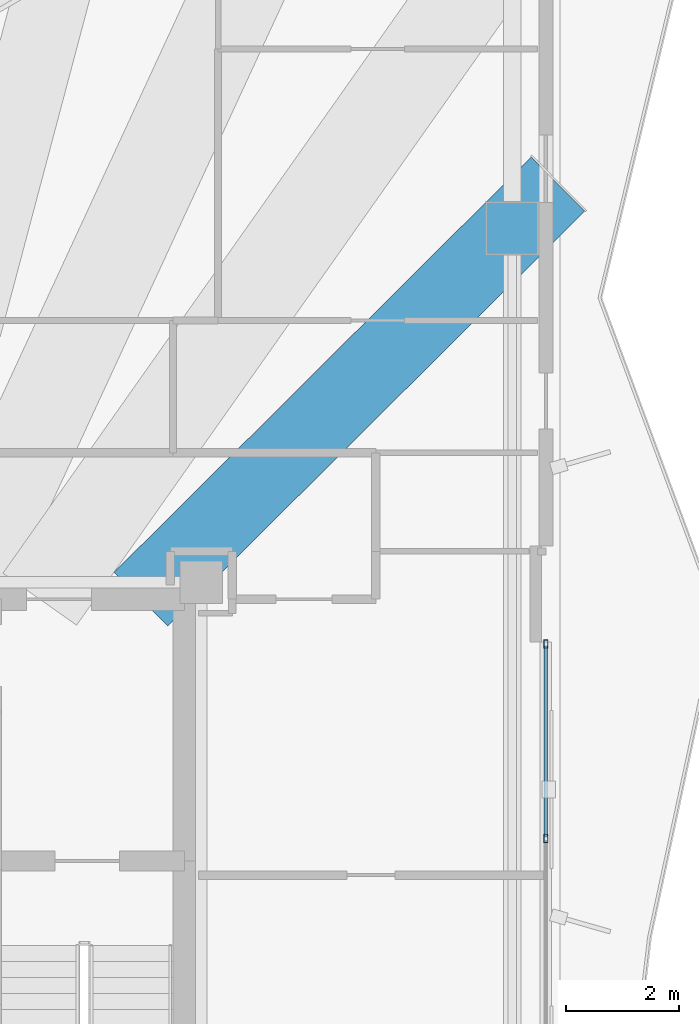
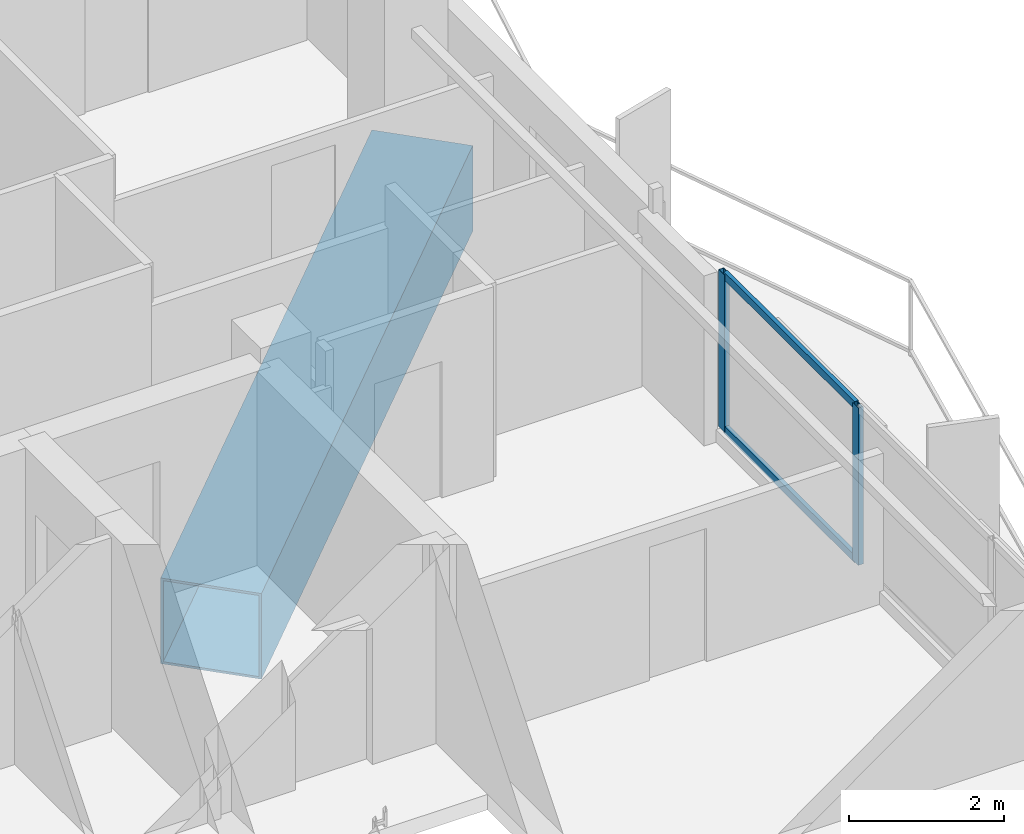
# One storey, part 10 of 21: 4 members, 1 beam, 1 element without a shape of its own.
"""IFC4 building model written with IfcOpenShell, lengths in metres."""

import ifcopenshell
import ifcopenshell.guid

model = None  # the IFC model being written
_history = None  # IfcOwnerHistory: only IFC2X3 demands one
_inside = {}  # id of a spatial element -> (the spatial element, [elements in it])
_under = {}  # id of a project, library or spatial element -> (it, [spatial elements below it])
_declared = {}  # id of a project -> (the project, [libraries it declares])
_typed = {}  # id of a type object -> (the type object, [elements of that type])
_made_of = {}  # id of a material, layer set ... -> (it, [elements and type objects made of it])


def new_model(schema):
    """Start an empty IFC model of exactly this schema.

    Asked for "IFC4X3", IfcOpenShell would pick the latest addendum, in which some entities
    have other attributes; the version numbers below select the first issue.
    IFC2X3 requires an IfcOwnerHistory on every rooted entity: one is made here for all.
    """
    global model, _history
    if schema == "IFC4X3":
        model = ifcopenshell.file(schema_version=(4, 3, 0, 0))
    else:
        model = ifcopenshell.file(schema=schema)
    _inside.clear()
    _under.clear()
    _declared.clear()
    _typed.clear()
    _made_of.clear()
    _history = None
    if model.schema == "IFC2X3":
        org = make("IfcOrganization", Name="unknown")
        user = make(
            "IfcPersonAndOrganization",
            ThePerson=make("IfcPerson", FamilyName="unknown"),
            TheOrganization=org,
        )
        app = make(
            "IfcApplication",
            ApplicationDeveloper=org,
            Version="unknown",
            ApplicationFullName="unknown",
            ApplicationIdentifier="unknown",
        )
        _history = make(
            "IfcOwnerHistory",
            OwningUser=user,
            OwningApplication=app,
            ChangeAction="ADDED",
            CreationDate=0,
        )
    return model


def make(cls, **values):
    """One entity of the class cls with the attributes given. An attribute that is None is left unset."""
    return model.create_entity(
        cls, **{name: value for name, value in values.items() if value is not None}
    )


def rooted(cls, **values):
    """An entity with a GlobalId (a new one), such as an element, a storey or a relation."""
    return make(cls, GlobalId=ifcopenshell.guid.new(), OwnerHistory=_history, **values)


def si_unit(unit_type, name, prefix=None):
    """IfcSIUnit, for example si_unit("LENGTHUNIT", "METRE", prefix="MILLI")."""
    return make("IfcSIUnit", UnitType=unit_type, Prefix=prefix, Name=name)


def assignment(units):
    """IfcUnitAssignment: the units of a project."""
    return None if units is None else make("IfcUnitAssignment", Units=units)


def point(xyz):
    """IfcCartesianPoint."""
    return None if xyz is None else make("IfcCartesianPoint", Coordinates=xyz)


def direction(xyz):
    """IfcDirection."""
    return None if xyz is None else make("IfcDirection", DirectionRatios=xyz)


def frame(location, z_axis=None, x_axis=None):
    """IfcAxis2Placement3D, a coordinate frame: its origin and axes. An axis left out is left unset."""
    return make(
        "IfcAxis2Placement3D",
        Location=point(location),
        Axis=direction(z_axis),
        RefDirection=direction(x_axis),
    )


def frame_2d(location, x_axis=None):
    """IfcAxis2Placement2D, a coordinate frame in the plane: its origin and x axis."""
    return make(
        "IfcAxis2Placement2D", Location=point(location), RefDirection=direction(x_axis)
    )


def origin():
    """The frame at (0, 0, 0) with its axes left unset."""
    return frame((0.0, 0.0, 0.0))


def origin_2d():
    """The frame at (0, 0) in the plane with its x axis left unset."""
    return frame_2d((0.0, 0.0))


def place(relative_to, where):
    """IfcLocalPlacement: puts the frame where relative to a parent placement (None: the world)."""
    return make(
        "IfcLocalPlacement", PlacementRelTo=relative_to, RelativePlacement=where
    )


def context(
    kind, dimensions, precision=None, world=None, true_north=None, identifier=None
):
    """IfcGeometricRepresentationContext, for example the 3D "Model" context."""
    return make(
        "IfcGeometricRepresentationContext",
        ContextIdentifier=identifier,
        ContextType=kind,
        CoordinateSpaceDimension=dimensions,
        Precision=precision,
        WorldCoordinateSystem=world,
        TrueNorth=true_north,
    )


def subcontext(parent, identifier, kind, view, scale=None):
    """IfcGeometricRepresentationSubContext, for example "Body" below "Model"."""
    return make(
        "IfcGeometricRepresentationSubContext",
        ContextIdentifier=identifier,
        ContextType=kind,
        ParentContext=parent,
        TargetScale=scale,
        TargetView=view,
    )


def project(units=None, contexts=None):
    """IfcProject with its units and contexts."""
    return rooted(
        "IfcProject",
        Name="project",
        RepresentationContexts=contexts,
        UnitsInContext=assignment(units),
    )


def spatial(cls, under=None, at=None, **own):
    """A site, building, storey or space (cls), placed at a placement, below another one or the project."""
    s = rooted(cls, ObjectPlacement=at, **own)
    if under is not None:
        _under.setdefault(under.id(), (under, []))[1].append(s)
    return s


def profile(cls, at=None, kind="AREA", **sizes):
    """A parametric profile (cls). Its sizes go by their IFC names, for example OverallWidth=200.0."""
    return make(cls, ProfileType=kind, Position=at, **sizes)


def hollow_rectangle(**sizes):
    """IfcRectangleHollowProfileDef."""
    return profile("IfcRectangleHollowProfileDef", **sizes)


def extrude(swept, where, along, depth):
    """IfcExtrudedAreaSolid: the profile swept, set in the frame where, extruded along a direction by depth."""
    return make(
        "IfcExtrudedAreaSolid",
        SweptArea=swept,
        Position=where,
        ExtrudedDirection=direction(along),
        Depth=depth,
    )


def shape(context_of_items, identifier, shape_type, items):
    """IfcShapeRepresentation: the items that make up one representation, for example the "Body"."""
    return make(
        "IfcShapeRepresentation",
        ContextOfItems=context_of_items,
        RepresentationIdentifier=identifier,
        RepresentationType=shape_type,
        Items=items,
    )


def material(Name=None, Category=None):
    """IfcMaterial."""
    return make("IfcMaterial", Name=Name, Category=Category)


def layer(
    of_material, thickness, ventilated=None, Name=None, Category=None, Priority=None
):
    """IfcMaterialLayer: one layer of a wall or slab, of a material (None: an air gap)."""
    return make(
        "IfcMaterialLayer",
        Material=of_material,
        LayerThickness=thickness,
        IsVentilated=ventilated,
        Name=Name,
        Category=Category,
        Priority=Priority,
    )


def layer_set(layers, Name=None):
    """IfcMaterialLayerSet."""
    return make("IfcMaterialLayerSet", MaterialLayers=layers, LayerSetName=Name)


def material_profile(
    of_material, cross_section, Name=None, Category=None, Priority=None
):
    """IfcMaterialProfile: a cross section and its material."""
    return make(
        "IfcMaterialProfile",
        Name=Name,
        Material=of_material,
        Profile=cross_section,
        Priority=Priority,
        Category=Category,
    )


def profile_set(profiles, Name=None, composite=None):
    """IfcMaterialProfileSet."""
    return make(
        "IfcMaterialProfileSet",
        Name=Name,
        MaterialProfiles=profiles,
        CompositeProfile=composite,
    )


def made_of(thing, what):
    """Note that an element or type object is made of a material, layer set ...; save() writes the relation."""
    if what is not None:
        _made_of.setdefault(what.id(), (what, []))[1].append(thing)
    return thing


def type_object(cls, material=None, **own):
    """A type object (cls), such as IfcWallType, which elements share."""
    return made_of(rooted(cls, **own), material)


def element(
    cls,
    number,
    at=None,
    inside=None,
    cuts=None,
    type_object=None,
    material=None,
    context=None,
    identifier="Body",
    shape_type=None,
    held_by="IfcProductDefinitionShape",
    body=None,
    shapes=None,
    **own,
):
    """One element of the class cls, such as IfcWall. Its Tag is "e" and its number.

    at: its placement. inside: the storey or other place that contains it. cuts: it is an
    opening in that element (IfcRelVoidsElement). A single representation is given by context,
    identifier, shape_type and body (its items); several are given by shapes. held_by: the class
    of the entity that holds the representations. save() writes the other relations.
    """
    e = rooted(cls, Tag="e%d" % number, ObjectPlacement=at, **own)
    if body is not None:
        shapes = [shape(context, identifier, shape_type, body)]
    if shapes is not None:
        e.Representation = make(held_by, Representations=shapes)
    if inside is not None:
        _inside.setdefault(inside.id(), (inside, []))[1].append(e)
    if cuts is not None:
        rooted(
            "IfcRelVoidsElement", RelatingBuildingElement=cuts, RelatedOpeningElement=e
        )
    if type_object is not None:
        _typed.setdefault(type_object.id(), (type_object, []))[1].append(e)
    return made_of(e, material)


def aggregate(whole, parts):
    """IfcRelAggregates: a whole, such as a stair, and the parts it consists of."""
    return rooted("IfcRelAggregates", RelatingObject=whole, RelatedObjects=parts)


def save(model, path):
    """Write the relations noted so far, then the file.

    IfcRelAggregates (storeys below a building ...), IfcRelContainedInSpatialStructure (elements
    in a storey), IfcRelDefinesByType, IfcRelAssociatesMaterial and IfcRelDeclares: one each for
    every whole, place, type object, material and project.
    """
    for whole, parts in _under.values():
        aggregate(whole, parts)
    for where, things in _inside.values():
        rooted(
            "IfcRelContainedInSpatialStructure",
            RelatedElements=things,
            RelatingStructure=where,
        )
    for kind, things in _typed.values():
        rooted("IfcRelDefinesByType", RelatedObjects=things, RelatingType=kind)
    for what, things in _made_of.values():
        rooted("IfcRelAssociatesMaterial", RelatedObjects=things, RelatingMaterial=what)
    for by, libraries in _declared.values():
        rooted("IfcRelDeclares", RelatingContext=by, RelatedDefinitions=libraries)
    model.write(path)


model = new_model("IFC4")

# Units and contexts
model_context = context("Model", 3, precision=1e-05, world=origin(), true_north=direction((0.0, 1.0)))
body_context = subcontext(model_context, "Body", "Model", "MODEL_VIEW")
ifc_project = project(units=[si_unit("LENGTHUNIT", "METRE"), si_unit("AREAUNIT", "SQUARE_METRE"), si_unit("VOLUMEUNIT", "CUBIC_METRE"), si_unit("PLANEANGLEUNIT", "RADIAN"), si_unit("MASSUNIT", "GRAM", prefix="KILO")], contexts=[model_context])

# Site, building, storey
site_placement = place(None, origin())
site = spatial("IfcSite", under=ifc_project, at=site_placement, CompositionType="ELEMENT")
building_placement = place(site_placement, origin())
building = spatial("IfcBuilding", under=site, at=building_placement, Name="Mersakhor Tower and Convention Hall", CompositionType="ELEMENT")
storey_placement = place(building_placement, frame((0.0, 0.0, 121.199951171875)))
storey = spatial("IfcBuildingStorey", under=building, at=storey_placement, Name="L33", CompositionType="ELEMENT", Elevation=121.199951171875)

# Beam
ifc_material_1 = material(Name="Steel S460", Category="steel")
ifc_material_profile_1 = material_profile(ifc_material_1, hollow_rectangle(XDim=1.35009765625, YDim=1.35009765625, WallThickness=0.035888671875, at=origin_2d()), Name="SHS 1350x1350x36")
ifc_profile_set_1 = profile_set([ifc_material_profile_1], Name="Steel S460")
beam_type = type_object("IfcBeamType", Name="BM-TR-BOX1350", PredefinedType="BEAM", material=ifc_profile_set_1)
beam_placement = place(storey_placement, frame((42.4345703125, 40.12158203125, -0.9150390625), z_axis=(-0.708763663889, -0.705446006971, 0.0), x_axis=(0.705446006971, -0.708763663889, 0.0)))
element("IfcBeam", 1, at=beam_placement, inside=storey, type_object=beam_type, Name="L33 Taper Step Transfer Girder STG-06", PredefinedType="BEAM", context=body_context, shape_type="SweptSolid", body=[
    extrude(hollow_rectangle(XDim=1.35009765625, YDim=1.35009765625, WallThickness=0.035888671875, at=origin_2d()), origin(), (0.0, 0.0, 1.0), 10.449462890625),
])

# Curtain wall, members
ifc_material_2 = material(Name="Dark solar low-E aluminium curtain wall", Category="aluminium")
ifc_layer = layer(ifc_material_2, 0.169921875)
ifc_layer_set = layer_set([ifc_layer], Name="Dark solar low-E aluminium curtain wall")
curtain_wall_type = type_object("IfcCurtainWallType", Name="CW-SYS-02", PredefinedType="USERDEFINED", material=ifc_layer_set)
curtain_wall_placement = place(storey_placement, origin())
curtain_wall = element("IfcCurtainWall", 2, at=curtain_wall_placement, inside=storey, type_object=curtain_wall_type, Name="L33 Dark-Glass Curtain Wall F2-B2", ObjectType="CURTAIN WALL", PredefinedType="USERDEFINED")
ifc_material_3 = material(Name="Anodised aluminium EN AW-6063 T6", Category="aluminium")
ifc_material_profile_2 = material_profile(ifc_material_3, hollow_rectangle(XDim=0.074951171875, YDim=0.14990234375, WallThickness=0.00634765625, at=origin_2d()), Name="RHS 150x75x6.3")
ifc_profile_set_2 = profile_set([ifc_material_profile_2], Name="Anodised aluminium EN AW-6063 T6")
member_type_1 = type_object("IfcMemberType", Name="CWM-150x75", PredefinedType="MULLION", material=ifc_profile_set_2)
member_1_placement = place(storey_placement, frame((42.21923828125, 31.95556640625, 0.199951171875), z_axis=(0.0, 0.0, 1.0), x_axis=(1.0, 0.0, 0.0)))
member_1 = element("IfcMember", 3, at=member_1_placement, type_object=member_type_1, Name="CW-02 mullion 1", PredefinedType="MULLION", context=body_context, shape_type="SweptSolid", body=[
    extrude(hollow_rectangle(XDim=0.074951171875, YDim=0.14990234375, WallThickness=0.00634765625, at=origin_2d()), origin(), (0.0, 0.0, 1.0), 2.47998046875),
])
member_2_placement = place(storey_placement, frame((42.21923828125, 28.49755859375, 0.199951171875), z_axis=(0.0, 0.0, 1.0), x_axis=(1.0, 0.0, 0.0)))
member_2 = element("IfcMember", 4, at=member_2_placement, type_object=member_type_1, Name="CW-02 mullion 2", PredefinedType="MULLION", context=body_context, shape_type="SweptSolid", body=[
    extrude(hollow_rectangle(XDim=0.074951171875, YDim=0.14990234375, WallThickness=0.00634765625, at=origin_2d()), origin(), (0.0, 0.0, 1.0), 2.47998046875),
])
ifc_material_4 = material(Name="Anodised aluminium EN AW-6063 T6", Category="aluminium")
ifc_material_profile_3 = material_profile(ifc_material_4, hollow_rectangle(XDim=0.06005859375, YDim=0.1201171875, WallThickness=0.0048828125, at=origin_2d()), Name="RHS 120x60x5")
ifc_profile_set_3 = profile_set([ifc_material_profile_3], Name="Anodised aluminium EN AW-6063 T6")
member_type_2 = type_object("IfcMemberType", Name="CWT-120x60", PredefinedType="USERDEFINED", material=ifc_profile_set_3)
member_3_placement = place(storey_placement, frame((42.21923828125, 31.91796875, 0.22998046875), z_axis=(0.0, -1.0, 0.0), x_axis=(1.0, 0.0, 0.0)))
member_3 = element("IfcMember", 5, at=member_3_placement, type_object=member_type_2, Name="CW-02 transom 1.1", ObjectType="TRANSOM", PredefinedType="USERDEFINED", context=body_context, shape_type="SweptSolid", body=[
    extrude(hollow_rectangle(XDim=0.06005859375, YDim=0.1201171875, WallThickness=0.0048828125, at=origin_2d()), origin(), (0.0, 0.0, 1.0), 3.3828125),
])
member_4_placement = place(storey_placement, frame((42.21923828125, 31.91796875, 2.650146484375), z_axis=(0.0, -1.0, 0.0), x_axis=(1.0, 0.0, 0.0)))
member_4 = element("IfcMember", 6, at=member_4_placement, type_object=member_type_2, Name="CW-02 transom 1.2", ObjectType="TRANSOM", PredefinedType="USERDEFINED", context=body_context, shape_type="SweptSolid", body=[
    extrude(hollow_rectangle(XDim=0.06005859375, YDim=0.1201171875, WallThickness=0.0048828125, at=origin_2d()), origin(), (0.0, 0.0, 1.0), 3.3828125),
])
aggregate(curtain_wall, [member_1, member_2, member_3, member_4])

save(model, "model.ifc")
